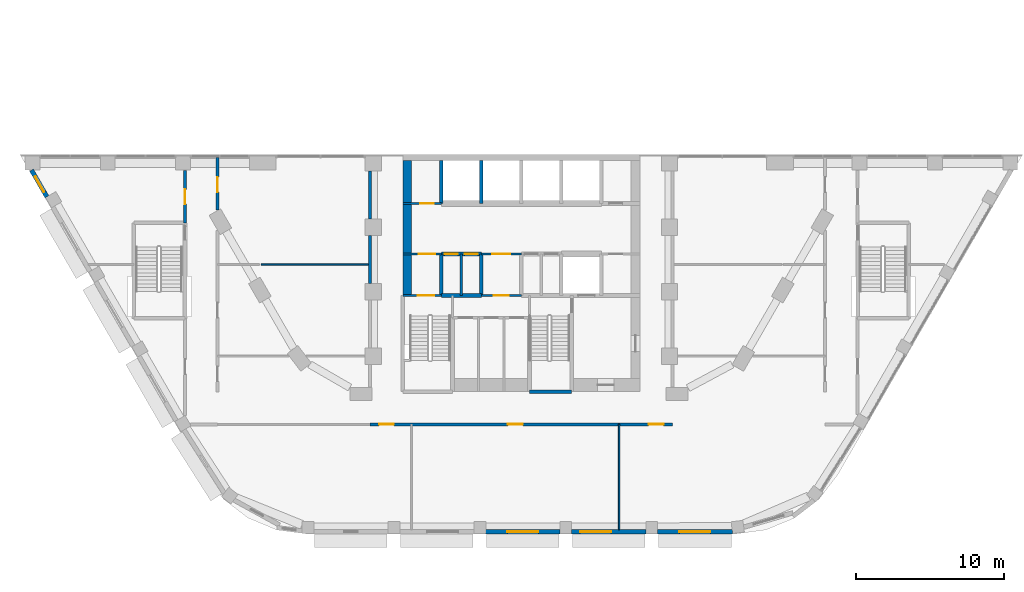
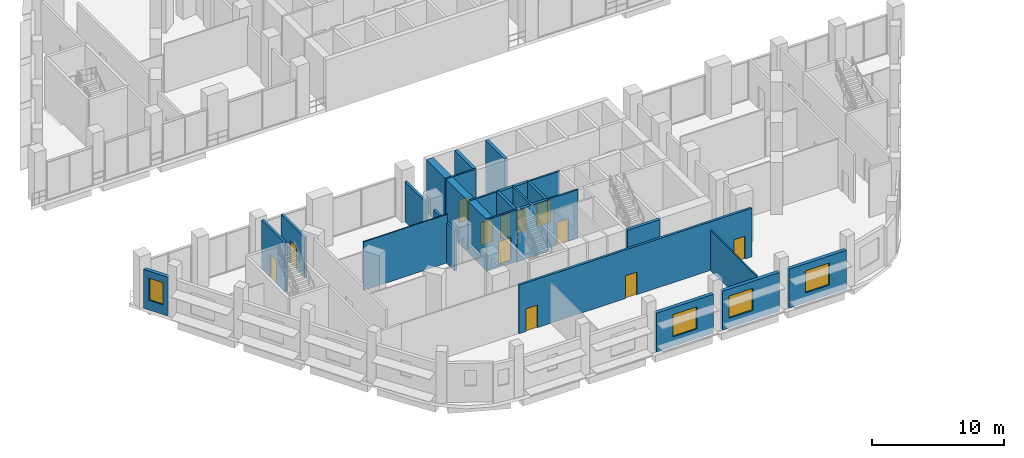
# One storey, part 16 of 45: 25 walls, 12 doors, 4 windows, 16 openings.
"""IFC4 building model written with IfcOpenShell, lengths in metres."""

from ifc_helpers import new_model, si_unit, direction, frame, frame_2d, origin, place, context, subcontext, project, spatial, rectangle, extrude, material, layer, layer_set, type_object, element, fill, save


model = new_model("IFC4")

# Units and contexts
model_context = context("Model", 3, precision=1e-05, world=origin(), true_north=direction((0.0, 1.0)))
body_context = subcontext(model_context, "Body", "Model", "MODEL_VIEW")
ifc_project = project(units=[si_unit("LENGTHUNIT", "METRE"), si_unit("AREAUNIT", "SQUARE_METRE"), si_unit("VOLUMEUNIT", "CUBIC_METRE"), si_unit("PLANEANGLEUNIT", "RADIAN"), si_unit("MASSUNIT", "GRAM", prefix="KILO")], contexts=[model_context])

# Site, building, storey
site_placement = place(None, origin())
site = spatial("IfcSite", under=ifc_project, at=site_placement, CompositionType="ELEMENT")
building_placement = place(site_placement, origin())
building = spatial("IfcBuilding", under=site, at=building_placement, Name="Nakaniwa Court", CompositionType="ELEMENT")
storey_placement = place(building_placement, frame((0.0, 0.0, 6.60009765625)))
storey = spatial("IfcBuildingStorey", under=building, at=storey_placement, Name="L01", CompositionType="ELEMENT", Elevation=6.60009765625)

# Wall, opening, door
ifc_material_1 = material(Name="Acoustic double stud partition")
ifc_layer_1 = layer(ifc_material_1, 0.199951171875)
ifc_layer_set_1 = layer_set([ifc_layer_1], Name="Acoustic double stud partition")
wall_type_1 = type_object("IfcWallType", Name="Acoustic double stud partition 200", PredefinedType="PARTITIONING", material=ifc_layer_set_1)
wall_1_placement = place(storey_placement, frame((57.300048828125, 67.9970703125, 0.0), z_axis=(0.0, 0.0, 1.0), x_axis=(0.0, 1.0, 0.0)))
wall_1 = element("IfcWall", 1, at=wall_1_placement, inside=storey, type_object=wall_type_1, Name="Partition PW-097", PredefinedType="PARTITIONING", context=body_context, shape_type="SweptSolid", body=[
    extrude(rectangle(XDim=3.535888671875, YDim=0.199951171875, at=frame_2d((1.76806640625, 0.0))), origin(), (0.0, 0.0, 1.0), 4.5),
])
opening_1_placement = place(wall_1_placement, frame((1.26806640625, 0.0, 0.0)))
opening_1 = element("IfcOpeningElement", 2, at=opening_1_placement, cuts=wall_1, Name="Opening D-02-11", PredefinedType="OPENING", context=body_context, shape_type="SweptSolid", body=[
    extrude(rectangle(XDim=1.0, YDim=2.10009765625, at=frame_2d((0.5, 1.050048828125))), frame((0.0, 0.10986328125, 0.0), z_axis=(0.0, -1.0, 0.0), x_axis=(1.0, 0.0, 0.0)), (0.0, 0.0, 1.0), 0.219970703125),
])
ifc_material_2 = material(Name="Solid core timber door set, black veneer", Category="wood")
door_type_1 = type_object("IfcDoorType", Name="Internal door 1000", OperationType="NOTDEFINED", PredefinedType="DOOR", material=ifc_material_2)
door_1_placement = place(opening_1_placement, origin())
door_1 = element("IfcDoor", 3, at=door_1_placement, inside=storey, type_object=door_type_1, Name="Door D-02-11 L01-046", OperationType="SINGLE_SWING_LEFT", OverallHeight=2.10009765625, OverallWidth=1.0, PredefinedType="DOOR", context=body_context, shape_type="SweptSolid", body=[
    extrude(rectangle(XDim=1.0, YDim=2.10009765625, at=frame_2d((0.5, 1.050048828125))), frame((0.0, 0.02490234375, 0.0), z_axis=(0.0, -1.0, 0.0), x_axis=(1.0, 0.0, 0.0)), (0.0, 0.0, 1.0), 0.050048828125),
])
fill(opening_1, door_1)

wall_2_placement = place(storey_placement, frame((59.5, 72.419921875, 0.0), z_axis=(0.0, 0.0, 1.0), x_axis=(0.0, -1.0, 0.0)))
wall_2 = element("IfcWall", 4, at=wall_2_placement, inside=storey, type_object=wall_type_1, Name="Partition PW-101", PredefinedType="PARTITIONING", context=body_context, shape_type="SweptSolid", body=[
    extrude(rectangle(XDim=3.569091796875, YDim=0.199951171875, at=frame_2d((1.78466796875, 0.0))), origin(), (0.0, 0.0, 1.0), 3.72998046875),
])
opening_2_placement = place(wall_2_placement, frame((1.343017578125, 0.0, 0.0)))
opening_2 = element("IfcOpeningElement", 5, at=opening_2_placement, cuts=wall_2, Name="Opening D-02-16", PredefinedType="OPENING", context=body_context, shape_type="SweptSolid", body=[
    extrude(rectangle(XDim=1.0, YDim=2.10009765625, at=frame_2d((0.5, 1.050048828125))), frame((0.0, 0.10986328125, 0.0), z_axis=(0.0, -1.0, 0.0), x_axis=(1.0, 0.0, 0.0)), (0.0, 0.0, 1.0), 0.219970703125),
])
door_2_placement = place(opening_2_placement, origin())
door_2 = element("IfcDoor", 6, at=door_2_placement, inside=storey, type_object=door_type_1, Name="Door D-02-16 L01-051", OperationType="SINGLE_SWING_RIGHT", OverallHeight=2.10009765625, OverallWidth=1.0, PredefinedType="DOOR", context=body_context, shape_type="SweptSolid", body=[
    extrude(rectangle(XDim=1.0, YDim=2.10009765625, at=frame_2d((0.5, 1.050048828125))), frame((0.0, 0.02490234375, 0.0), z_axis=(0.0, -1.0, 0.0), x_axis=(1.0, 0.0, 0.0)), (0.0, 0.0, 1.0), 0.050048828125),
])
fill(opening_2, door_2)

# Walls
wall_3_placement = place(storey_placement, frame((69.800048828125, 63.9169921875, 0.0), z_axis=(0.0, 0.0, 1.0), x_axis=(0.0, 1.0, 0.0)))
element("IfcWall", 7, at=wall_3_placement, inside=storey, type_object=wall_type_1, Name="Partition PW-114", PredefinedType="PARTITIONING", context=body_context, shape_type="SweptSolid", body=[
    extrude(rectangle(XDim=3.216064453125, YDim=0.199951171875, at=frame_2d((1.60791015625, 0.0))), origin(), (0.0, 0.0, 1.0), 3.72998046875),
])
wall_4_placement = place(storey_placement, frame((69.800048828125, 68.26708984375, 0.0), z_axis=(0.0, 0.0, 1.0), x_axis=(0.0, 1.0, 0.0)))
element("IfcWall", 8, at=wall_4_placement, inside=storey, type_object=wall_type_1, Name="Partition PW-115", PredefinedType="PARTITIONING", context=body_context, shape_type="SweptSolid", body=[
    extrude(rectangle(XDim=3.2158203125, YDim=0.199951171875, at=frame_2d((1.60791015625, 0.0))), origin(), (0.0, 0.0, 1.0), 3.72998046875),
])

# Wall, openings, doors
wall_5_placement = place(storey_placement, frame((90.199951171875, 54.39990234375, 0.0), z_axis=(0.0, 0.0, 1.0), x_axis=(-1.0, 0.0, 0.0)))
wall_5 = element("IfcWall", 9, at=wall_5_placement, inside=storey, type_object=wall_type_1, Name="Partition PW-135", PredefinedType="PARTITIONING", context=body_context, shape_type="SweptSolid", body=[
    extrude(rectangle(XDim=20.39990234375, YDim=0.199951171875, at=frame_2d((10.199951171875, 0.0))), origin(), (0.0, 0.0, 1.0), 4.5),
])
opening_3_placement = place(wall_5_placement, frame((18.800048828125, 0.0, 0.0)))
opening_3 = element("IfcOpeningElement", 10, at=opening_3_placement, cuts=wall_5, Name="Opening D-02-19", PredefinedType="OPENING", context=body_context, shape_type="SweptSolid", body=[
    extrude(rectangle(XDim=1.0, YDim=2.10009765625, at=frame_2d((0.5, 1.050048828125))), frame((0.0, 0.10986328125, 0.0), z_axis=(0.0, -1.0, 0.0), x_axis=(1.0, 0.0, 0.0)), (0.0, 0.0, 1.0), 0.219970703125),
])
opening_4_placement = place(wall_5_placement, frame((0.60009765625, 0.0, 0.0)))
opening_4 = element("IfcOpeningElement", 11, at=opening_4_placement, cuts=wall_5, Name="Opening D-02-20", PredefinedType="OPENING", context=body_context, shape_type="SweptSolid", body=[
    extrude(rectangle(XDim=1.0, YDim=2.10009765625, at=frame_2d((0.5, 1.050048828125))), frame((0.0, 0.10986328125, 0.0), z_axis=(0.0, -1.0, 0.0), x_axis=(1.0, 0.0, 0.0)), (0.0, 0.0, 1.0), 0.219970703125),
])
opening_5_placement = place(wall_5_placement, frame((10.10009765625, 0.0, 0.0)))
opening_5 = element("IfcOpeningElement", 12, at=opening_5_placement, cuts=wall_5, Name="Opening D-02-21", PredefinedType="OPENING", context=body_context, shape_type="SweptSolid", body=[
    extrude(rectangle(XDim=1.0, YDim=2.10009765625, at=frame_2d((0.5, 1.050048828125))), frame((0.0, 0.10986328125, 0.0), z_axis=(0.0, -1.0, 0.0), x_axis=(1.0, 0.0, 0.0)), (0.0, 0.0, 1.0), 0.219970703125),
])
door_3_placement = place(opening_3_placement, origin())
door_3 = element("IfcDoor", 13, at=door_3_placement, inside=storey, type_object=door_type_1, Name="Door D-02-19 L01-054", OperationType="SINGLE_SWING_LEFT", OverallHeight=2.10009765625, OverallWidth=1.0, PredefinedType="DOOR", context=body_context, shape_type="SweptSolid", body=[
    extrude(rectangle(XDim=1.0, YDim=2.10009765625, at=frame_2d((0.5, 1.050048828125))), frame((0.0, 0.02490234375, 0.0), z_axis=(0.0, -1.0, 0.0), x_axis=(1.0, 0.0, 0.0)), (0.0, 0.0, 1.0), 0.050048828125),
])
fill(opening_3, door_3)
door_4_placement = place(opening_4_placement, origin())
door_4 = element("IfcDoor", 14, at=door_4_placement, inside=storey, type_object=door_type_1, Name="Door D-02-20 L01-055", OperationType="SINGLE_SWING_RIGHT", OverallHeight=2.10009765625, OverallWidth=1.0, PredefinedType="DOOR", context=body_context, shape_type="SweptSolid", body=[
    extrude(rectangle(XDim=1.0, YDim=2.10009765625, at=frame_2d((0.5, 1.050048828125))), frame((0.0, 0.02490234375, 0.0), z_axis=(0.0, -1.0, 0.0), x_axis=(1.0, 0.0, 0.0)), (0.0, 0.0, 1.0), 0.050048828125),
])
fill(opening_4, door_4)
door_5_placement = place(opening_5_placement, origin())
door_5 = element("IfcDoor", 15, at=door_5_placement, inside=storey, type_object=door_type_1, Name="Door D-02-21 L01-056", OperationType="SINGLE_SWING_LEFT", OverallHeight=2.10009765625, OverallWidth=1.0, PredefinedType="DOOR", context=body_context, shape_type="SweptSolid", body=[
    extrude(rectangle(XDim=1.0, YDim=2.10009765625, at=frame_2d((0.5, 1.050048828125))), frame((0.0, 0.02490234375, 0.0), z_axis=(0.0, -1.0, 0.0), x_axis=(1.0, 0.0, 0.0)), (0.0, 0.0, 1.0), 0.050048828125),
])
fill(opening_5, door_5)

# Wall, opening, window
ifc_material_3 = material(Name="Charcoal ceramic cladding")
ifc_layer_2 = layer(ifc_material_3, 0.02, Name="Ceramic cladding")
ifc_material_4 = material(Name="Ventilated air cavity")
ifc_layer_3 = layer(ifc_material_4, 0.04, ventilated=True, Name="Ventilated cavity")
ifc_material_5 = material(Name="Mineral wool insulation")
ifc_layer_4 = layer(ifc_material_5, 0.1, Name="Insulation")
ifc_material_6 = material(Name="Cement bonded sheathing board")
ifc_layer_5 = layer(ifc_material_6, 0.012, Name="Sheathing")
ifc_material_7 = material(Name="Cold-formed galvanised stud frame with mineral wool infill")
ifc_layer_6 = layer(ifc_material_7, 0.1, Name="Stud frame")
ifc_material_8 = material(Name="Fire-rated gypsum plasterboard lining")
ifc_layer_7 = layer(ifc_material_8, 0.028, Name="Lining")
ifc_layer_set_2 = layer_set([ifc_layer_2, ifc_layer_3, ifc_layer_4, ifc_layer_5, ifc_layer_6, ifc_layer_7], Name="Charcoal ceramic faced external wall system")
wall_type_2 = type_object("IfcWallType", Name="Black ceramic faced external wall 300", PredefinedType="SOLIDWALL", material=ifc_layer_set_2)
wall_6_placement = place(storey_placement, frame((46.944580078125, 71.553466796875, 0.0), z_axis=(0.0, 0.0, 1.0), x_axis=(0.500020978615, -0.866013291437, 0.0)))
wall_6 = element("IfcWall", 16, at=wall_6_placement, inside=storey, type_object=wall_type_2, Name="L01 external wall 12", PredefinedType="SOLIDWALL", context=body_context, shape_type="SweptSolid", body=[
    extrude(rectangle(XDim=2.07666015625, YDim=0.300048828125, at=frame_2d((1.038330078125, 0.0))), origin(), (0.0, 0.0, 1.0), 3.599853515625),
])
opening_6_placement = place(wall_6_placement, frame((0.489013671875, 0.0, 0.89990234375)))
opening_6 = element("IfcOpeningElement", 17, at=opening_6_placement, cuts=wall_6, Name="Opening W1.01", PredefinedType="OPENING", context=body_context, shape_type="SweptSolid", body=[
    extrude(rectangle(XDim=1.199951171875, YDim=2.050048828125, at=frame_2d((0.60009765625, 1.02490234375))), frame((0.0, 0.159912109375, 0.0), z_axis=(0.0, -1.0, 0.0), x_axis=(1.0, 0.0, 0.0)), (0.0, 0.0, 1.0), 0.320068359375),
])
ifc_material_9 = material(Name="Black anodised aluminium frame with dark low-E laminated double glazing", Category="aluminium")
window_type_1 = type_object("IfcWindowType", Name="Dark glass window 1200x2050 sill 900", PartitioningType="SINGLE_PANEL", PredefinedType="WINDOW", material=ifc_material_9)
window_1_placement = place(opening_6_placement, origin())
window_1 = element("IfcWindow", 18, at=window_1_placement, inside=storey, type_object=window_type_1, Name="L01 habitable room window 12-0", OverallHeight=2.050048828125, OverallWidth=1.199951171875, PartitioningType="SINGLE_PANEL", PredefinedType="WINDOW", context=body_context, shape_type="SweptSolid", body=[
    extrude(rectangle(XDim=1.199951171875, YDim=2.050048828125, at=frame_2d((0.60009765625, 1.02490234375))), frame((0.0, 0.030029296875, 0.0), z_axis=(0.0, -1.0, 0.0), x_axis=(1.0, 0.0, 0.0)), (0.0, 0.0, 1.0), 0.06005859375),
])
fill(opening_6, window_1)

wall_7_placement = place(storey_placement, frame((77.59619140625, 47.14990234375, 0.0), z_axis=(0.0, 0.0, 1.0), x_axis=(1.0, 0.0, 0.0)))
wall_7 = element("IfcWall", 19, at=wall_7_placement, inside=storey, type_object=wall_type_2, Name="L01 external wall 21", PredefinedType="SOLIDWALL", context=body_context, shape_type="SweptSolid", body=[
    extrude(rectangle(XDim=5.01025390625, YDim=0.300048828125, at=frame_2d((2.505126953125, 0.0))), origin(), (0.0, 0.0, 1.0), 3.599853515625),
])
opening_7_placement = place(wall_7_placement, frame((1.455078125, 0.0, 0.89990234375)))
opening_7 = element("IfcOpeningElement", 20, at=opening_7_placement, cuts=wall_7, Name="Opening W2.10", PredefinedType="OPENING", context=body_context, shape_type="SweptSolid", body=[
    extrude(rectangle(XDim=2.10009765625, YDim=2.050048828125, at=frame_2d((1.050048828125, 1.02490234375))), frame((0.0, 0.159912109375, 0.0), z_axis=(0.0, -1.0, 0.0), x_axis=(1.0, 0.0, 0.0)), (0.0, 0.0, 1.0), 0.320068359375),
])
window_type_2 = type_object("IfcWindowType", Name="Dark glass window 2100x2050 sill 900", PartitioningType="SINGLE_PANEL", PredefinedType="WINDOW", material=ifc_material_9)
window_2_placement = place(opening_7_placement, origin())
window_2 = element("IfcWindow", 21, at=window_2_placement, inside=storey, type_object=window_type_2, Name="L01 habitable room window 21-0", OverallHeight=2.050048828125, OverallWidth=2.10009765625, PartitioningType="SINGLE_PANEL", PredefinedType="WINDOW", context=body_context, shape_type="SweptSolid", body=[
    extrude(rectangle(XDim=2.10009765625, YDim=2.050048828125, at=frame_2d((1.050048828125, 1.02490234375))), frame((0.0, 0.030029296875, 0.0), z_axis=(0.0, -1.0, 0.0), x_axis=(1.0, 0.0, 0.0)), (0.0, 0.0, 1.0), 0.06005859375),
])
fill(opening_7, window_2)

wall_8_placement = place(storey_placement, frame((83.3984375, 47.14990234375, 0.0), z_axis=(0.0, 0.0, 1.0), x_axis=(1.0, 0.0, 0.0)))
wall_8 = element("IfcWall", 22, at=wall_8_placement, inside=storey, type_object=wall_type_2, Name="L01 external wall 22", PredefinedType="SOLIDWALL", context=body_context, shape_type="SweptSolid", body=[
    extrude(rectangle(XDim=5.01025390625, YDim=0.300048828125, at=frame_2d((2.505126953125, 0.0))), origin(), (0.0, 0.0, 1.0), 3.599853515625),
])
opening_8_placement = place(wall_8_placement, frame((0.562744140625, 0.0, 0.89990234375)))
opening_8 = element("IfcOpeningElement", 23, at=opening_8_placement, cuts=wall_8, Name="Opening W2.11", PredefinedType="OPENING", context=body_context, shape_type="SweptSolid", body=[
    extrude(rectangle(XDim=2.10009765625, YDim=2.050048828125, at=frame_2d((1.050048828125, 1.02490234375))), frame((0.0, 0.159912109375, 0.0), z_axis=(0.0, -1.0, 0.0), x_axis=(1.0, 0.0, 0.0)), (0.0, 0.0, 1.0), 0.320068359375),
])
window_3_placement = place(opening_8_placement, origin())
window_3 = element("IfcWindow", 24, at=window_3_placement, inside=storey, type_object=window_type_2, Name="L01 habitable room window 22-0", OverallHeight=2.050048828125, OverallWidth=2.10009765625, PartitioningType="SINGLE_PANEL", PredefinedType="WINDOW", context=body_context, shape_type="SweptSolid", body=[
    extrude(rectangle(XDim=2.10009765625, YDim=2.050048828125, at=frame_2d((1.050048828125, 1.02490234375))), frame((0.0, 0.030029296875, 0.0), z_axis=(0.0, -1.0, 0.0), x_axis=(1.0, 0.0, 0.0)), (0.0, 0.0, 1.0), 0.06005859375),
])
fill(opening_8, window_3)

wall_9_placement = place(storey_placement, frame((89.20068359375, 47.14990234375, 0.0), z_axis=(0.0, 0.0, 1.0), x_axis=(1.0, 0.0, 0.0)))
wall_9 = element("IfcWall", 25, at=wall_9_placement, inside=storey, type_object=wall_type_2, Name="L01 external wall 23", PredefinedType="SOLIDWALL", context=body_context, shape_type="SweptSolid", body=[
    extrude(rectangle(XDim=5.048095703125, YDim=0.300048828125, at=frame_2d((2.52392578125, 0.0))), origin(), (0.0, 0.0, 1.0), 3.599853515625),
])
opening_9_placement = place(wall_9_placement, frame((1.462646484375, 0.0, 0.89990234375)))
opening_9 = element("IfcOpeningElement", 26, at=opening_9_placement, cuts=wall_9, Name="Opening W2.12", PredefinedType="OPENING", context=body_context, shape_type="SweptSolid", body=[
    extrude(rectangle(XDim=2.10009765625, YDim=2.050048828125, at=frame_2d((1.050048828125, 1.02490234375))), frame((0.0, 0.159912109375, 0.0), z_axis=(0.0, -1.0, 0.0), x_axis=(1.0, 0.0, 0.0)), (0.0, 0.0, 1.0), 0.320068359375),
])
window_4_placement = place(opening_9_placement, origin())
window_4 = element("IfcWindow", 27, at=window_4_placement, inside=storey, type_object=window_type_2, Name="L01 habitable room window 23-0", OverallHeight=2.050048828125, OverallWidth=2.10009765625, PartitioningType="SINGLE_PANEL", PredefinedType="WINDOW", context=body_context, shape_type="SweptSolid", body=[
    extrude(rectangle(XDim=2.10009765625, YDim=2.050048828125, at=frame_2d((1.050048828125, 1.02490234375))), frame((0.0, 0.030029296875, 0.0), z_axis=(0.0, -1.0, 0.0), x_axis=(1.0, 0.0, 0.0)), (0.0, 0.0, 1.0), 0.06005859375),
])
fill(opening_9, window_4)

# Wall, opening, door
ifc_material_10 = material(Name="Blockwork partition", Category="masonry")
ifc_layer_8 = layer(ifc_material_10, 0.14990234375)
ifc_layer_set_3 = layer_set([ifc_layer_8], Name="Blockwork partition")
wall_type_3 = type_object("IfcWallType", Name="Blockwork partition 150", PredefinedType="PARTITIONING", material=ifc_layer_set_3)
wall_10_placement = place(storey_placement, frame((72.0, 69.300048828125, 0.0), z_axis=(0.0, 0.0, 1.0), x_axis=(1.0, 0.0, 0.0)))
wall_10 = element("IfcWall", 28, at=wall_10_placement, inside=storey, type_object=wall_type_3, Name="Partition PW-043", PredefinedType="PARTITIONING", context=body_context, shape_type="SweptSolid", body=[
    extrude(rectangle(XDim=2.60009765625, YDim=0.14990234375, at=frame_2d((1.300048828125, 0.0))), origin(), (0.0, 0.0, 1.0), 4.5),
])
opening_10_placement = place(wall_10_placement, frame((1.175048828125, 0.0, 0.0)))
opening_10 = element("IfcOpeningElement", 29, at=opening_10_placement, cuts=wall_10, Name="Opening D-05-11", PredefinedType="OPENING", context=body_context, shape_type="SweptSolid", body=[
    extrude(rectangle(XDim=0.89990234375, YDim=2.10009765625, at=frame_2d((0.449951171875, 1.050048828125))), frame((0.0, 0.0849609375, 0.0), z_axis=(0.0, -1.0, 0.0), x_axis=(1.0, 0.0, 0.0)), (0.0, 0.0, 1.0), 0.169921875),
])
ifc_material_11 = material(Name="Fire rated steel door set", Category="steel")
door_type_2 = type_object("IfcDoorType", Name="Service room door 900", OperationType="NOTDEFINED", PredefinedType="DOOR", material=ifc_material_11)
door_6_placement = place(opening_10_placement, origin())
door_6 = element("IfcDoor", 30, at=door_6_placement, inside=storey, type_object=door_type_2, Name="Door D-05-11 L01-016", OperationType="SINGLE_SWING_LEFT", OverallHeight=2.10009765625, OverallWidth=0.89990234375, PredefinedType="DOOR", context=body_context, shape_type="SweptSolid", body=[
    extrude(rectangle(XDim=0.89990234375, YDim=2.10009765625, at=frame_2d((0.449951171875, 1.050048828125))), frame((0.0, 0.02490234375, 0.0), z_axis=(0.0, -1.0, 0.0), x_axis=(1.0, 0.0, 0.0)), (0.0, 0.0, 1.0), 0.050048828125),
])
fill(opening_10, door_6)

wall_11_placement = place(storey_placement, frame((74.60302734375, 65.89990234375, 0.0), z_axis=(0.0, 0.0, 1.0), x_axis=(-1.0, 0.0, 0.0)))
wall_11 = element("IfcWall", 31, at=wall_11_placement, inside=storey, type_object=wall_type_3, Name="Partition PW-056", PredefinedType="PARTITIONING", context=body_context, shape_type="SweptSolid", body=[
    extrude(rectangle(XDim=2.60302734375, YDim=0.14990234375, at=frame_2d((1.301513671875, 0.0))), origin(), (0.0, 0.0, 1.0), 4.5),
])
opening_11_placement = place(wall_11_placement, frame((0.427978515625, 0.0, 0.0)))
opening_11 = element("IfcOpeningElement", 32, at=opening_11_placement, cuts=wall_11, Name="Opening D-08-02", PredefinedType="OPENING", context=body_context, shape_type="SweptSolid", body=[
    extrude(rectangle(XDim=1.10009765625, YDim=2.10009765625, at=frame_2d((0.550048828125, 1.050048828125))), frame((0.0, 0.0849609375, 0.0), z_axis=(0.0, -1.0, 0.0), x_axis=(1.0, 0.0, 0.0)), (0.0, 0.0, 1.0), 0.169921875),
])
door_type_3 = type_object("IfcDoorType", Name="Stair lobby door 1100", OperationType="NOTDEFINED", PredefinedType="DOOR", material=ifc_material_11)
door_7_placement = place(opening_11_placement, origin())
door_7 = element("IfcDoor", 33, at=door_7_placement, inside=storey, type_object=door_type_3, Name="Door D-08-02 L01-018", OperationType="SINGLE_SWING_LEFT", OverallHeight=2.10009765625, OverallWidth=1.10009765625, PredefinedType="DOOR", context=body_context, shape_type="SweptSolid", body=[
    extrude(rectangle(XDim=1.10009765625, YDim=2.10009765625, at=frame_2d((0.550048828125, 1.050048828125))), frame((0.0, 0.02490234375, 0.0), z_axis=(0.0, -1.0, 0.0), x_axis=(1.0, 0.0, 0.0)), (0.0, 0.0, 1.0), 0.050048828125),
])
fill(opening_11, door_7)

wall_12_placement = place(storey_placement, frame((80.0029296875, 65.89990234375, 0.0), z_axis=(0.0, 0.0, 1.0), x_axis=(-1.0, 0.0, 0.0)))
wall_12 = element("IfcWall", 34, at=wall_12_placement, inside=storey, type_object=wall_type_3, Name="Partition PW-057", PredefinedType="PARTITIONING", context=body_context, shape_type="SweptSolid", body=[
    extrude(rectangle(XDim=2.705810546875, YDim=0.14990234375, at=frame_2d((1.35302734375, 0.0))), origin(), (0.0, 0.0, 1.0), 4.5),
])
opening_12_placement = place(wall_12_placement, frame((0.7529296875, 0.0, 0.0)))
opening_12 = element("IfcOpeningElement", 35, at=opening_12_placement, cuts=wall_12, Name="Opening D-06-02", PredefinedType="OPENING", context=body_context, shape_type="SweptSolid", body=[
    extrude(rectangle(XDim=1.199951171875, YDim=2.10009765625, at=frame_2d((0.60009765625, 1.050048828125))), frame((0.0, 0.0849609375, 0.0), z_axis=(0.0, -1.0, 0.0), x_axis=(1.0, 0.0, 0.0)), (0.0, 0.0, 1.0), 0.169921875),
])
ifc_material_12 = material(Name="Fire rated steel double door set", Category="steel")
door_type_4 = type_object("IfcDoorType", Name="Service passage double door 1200", OperationType="NOTDEFINED", PredefinedType="DOOR", material=ifc_material_12)
door_8_placement = place(opening_12_placement, origin())
door_8 = element("IfcDoor", 36, at=door_8_placement, inside=storey, type_object=door_type_4, Name="Door D-06-02 L01-021", OperationType="DOUBLE_DOOR_SINGLE_SWING", OverallHeight=2.10009765625, OverallWidth=1.199951171875, PredefinedType="DOOR", context=body_context, shape_type="SweptSolid", body=[
    extrude(rectangle(XDim=1.199951171875, YDim=2.10009765625, at=frame_2d((0.60009765625, 1.050048828125))), frame((0.0, 0.02490234375, 0.0), z_axis=(0.0, -1.0, 0.0), x_axis=(1.0, 0.0, 0.0)), (0.0, 0.0, 1.0), 0.050048828125),
])
fill(opening_12, door_8)

# Wall
wall_13_placement = place(storey_placement, frame((75.949951171875, 63.10009765625, 0.0), z_axis=(0.0, 0.0, 1.0), x_axis=(0.0, 1.0, 0.0)))
element("IfcWall", 37, at=wall_13_placement, inside=storey, type_object=wall_type_3, Name="Partition PW-063", PredefinedType="PARTITIONING", context=body_context, shape_type="SweptSolid", body=[
    extrude(rectangle(XDim=2.7998046875, YDim=0.14990234375, at=frame_2d((1.39990234375, 0.0))), origin(), (0.0, 0.0, 1.0), 4.5),
])

# Wall, opening, door
wall_14_placement = place(storey_placement, frame((80.0, 63.10009765625, 0.0), z_axis=(0.0, 0.0, 1.0), x_axis=(-1.0, 0.0, 0.0)))
wall_14 = element("IfcWall", 38, at=wall_14_placement, inside=storey, type_object=wall_type_3, Name="Partition PW-066", PredefinedType="PARTITIONING", context=body_context, shape_type="SweptSolid", body=[
    extrude(rectangle(XDim=2.699951171875, YDim=0.14990234375, at=frame_2d((1.35009765625, 0.0))), origin(), (0.0, 0.0, 1.0), 4.5),
])
opening_13_placement = place(wall_14_placement, frame((0.85009765625, 0.0, 0.0)))
opening_13 = element("IfcOpeningElement", 39, at=opening_13_placement, cuts=wall_14, Name="Opening D-23-02", PredefinedType="OPENING", context=body_context, shape_type="SweptSolid", body=[
    extrude(rectangle(XDim=1.0, YDim=2.10009765625, at=frame_2d((0.5, 1.050048828125))), frame((0.0, 0.0849609375, 0.0), z_axis=(0.0, -1.0, 0.0), x_axis=(1.0, 0.0, 0.0)), (0.0, 0.0, 1.0), 0.169921875),
])
door_type_5 = type_object("IfcDoorType", Name="Service room door 1000", OperationType="NOTDEFINED", PredefinedType="DOOR", material=ifc_material_11)
door_9_placement = place(opening_13_placement, origin())
door_9 = element("IfcDoor", 40, at=door_9_placement, inside=storey, type_object=door_type_5, Name="Door D-23-02 L01-025", OperationType="SINGLE_SWING_RIGHT", OverallHeight=2.10009765625, OverallWidth=1.0, PredefinedType="DOOR", context=body_context, shape_type="SweptSolid", body=[
    extrude(rectangle(XDim=1.0, YDim=2.10009765625, at=frame_2d((0.5, 1.050048828125))), frame((0.0, 0.02490234375, 0.0), z_axis=(0.0, -1.0, 0.0), x_axis=(1.0, 0.0, 0.0)), (0.0, 0.0, 1.0), 0.050048828125),
])
fill(opening_13, door_9)

# Wall
ifc_material_13 = material(Name="Concrete C100/115", Category="concrete")
ifc_layer_9 = layer(ifc_material_13, 0.60009765625)
ifc_layer_set_4 = layer_set([ifc_layer_9], Name="Concrete C100/115")
wall_type_4 = type_object("IfcWallType", Name="Concrete core side wall 600 C100", PredefinedType="SHEAR", material=ifc_layer_set_4)
wall_15_placement = place(storey_placement, frame((72.300048828125, 63.10009765625, -0.300048828125), z_axis=(0.0, 0.0, 1.0), x_axis=(0.0, 1.0, 0.0)))
element("IfcWall", 41, at=wall_15_placement, inside=storey, type_object=wall_type_4, Name="Core wall SW-44", PredefinedType="SHEAR", context=body_context, shape_type="SweptSolid", body=[
    extrude(rectangle(XDim=9.099853515625, YDim=0.60009765625, at=frame_2d((4.5498046875, 0.0))), origin(), (0.0, 0.0, 1.0), 4.800048828125),
])

# Wall, opening, door
ifc_layer_10 = layer(ifc_material_13, 0.14990234375)
ifc_layer_set_5 = layer_set([ifc_layer_10], Name="Concrete C100/115")
wall_type_5 = type_object("IfcWallType", Name="Concrete core wall 150 C100", PredefinedType="SHEAR", material=ifc_layer_set_5)
wall_16_placement = place(storey_placement, frame((72.0, 63.10009765625, -0.300048828125), z_axis=(0.0, 0.0, 1.0), x_axis=(1.0, 0.0, 0.0)))
wall_16 = element("IfcWall", 42, at=wall_16_placement, inside=storey, type_object=wall_type_5, Name="Core wall SW-62", PredefinedType="SHEAR", context=body_context, shape_type="SweptSolid", body=[
    extrude(rectangle(XDim=2.60009765625, YDim=0.14990234375, at=frame_2d((1.300048828125, 0.0))), origin(), (0.0, 0.0, 1.0), 4.800048828125),
])
opening_14_placement = place(wall_16_placement, frame((1.02001953125, 0.0, 0.300048828125)))
opening_14 = element("IfcOpeningElement", 43, at=opening_14_placement, cuts=wall_16, Name="Opening D-09-02", PredefinedType="OPENING", context=body_context, shape_type="SweptSolid", body=[
    extrude(rectangle(XDim=1.10009765625, YDim=2.10009765625, at=frame_2d((0.550048828125, 1.050048828125))), frame((0.0, 0.0849609375, 0.0), z_axis=(0.0, -1.0, 0.0), x_axis=(1.0, 0.0, 0.0)), (0.0, 0.0, 1.0), 0.169921875),
])
door_type_6 = type_object("IfcDoorType", Name="Stair door 1100", OperationType="NOTDEFINED", PredefinedType="DOOR", material=ifc_material_11)
door_10_placement = place(opening_14_placement, origin())
door_10 = element("IfcDoor", 44, at=door_10_placement, inside=storey, type_object=door_type_6, Name="Door D-09-02 L01-029", OperationType="SINGLE_SWING_LEFT", OverallHeight=2.10009765625, OverallWidth=1.10009765625, PredefinedType="DOOR", context=body_context, shape_type="SweptSolid", body=[
    extrude(rectangle(XDim=1.10009765625, YDim=2.10009765625, at=frame_2d((0.550048828125, 1.050048828125))), frame((0.0, 0.02490234375, 0.0), z_axis=(0.0, -1.0, 0.0), x_axis=(1.0, 0.0, 0.0)), (0.0, 0.0, 1.0), 0.050048828125),
])
fill(opening_14, door_10)

# Walls
ifc_layer_11 = layer(ifc_material_13, 0.25)
ifc_layer_set_6 = layer_set([ifc_layer_11], Name="Concrete C100/115")
wall_type_6 = type_object("IfcWallType", Name="Concrete core wall 250 C100", PredefinedType="SHEAR", material=ifc_layer_set_6)
wall_17_placement = place(storey_placement, frame((80.550048828125, 56.60009765625, -0.300048828125), z_axis=(0.0, 0.0, 1.0), x_axis=(1.0, 0.0, 0.0)))
element("IfcWall", 45, at=wall_17_placement, inside=storey, type_object=wall_type_6, Name="Core wall SW-72", PredefinedType="SHEAR", context=body_context, shape_type="SweptSolid", body=[
    extrude(rectangle(XDim=2.849853515625, YDim=0.25, at=frame_2d((1.4248046875, 0.0))), origin(), (0.0, 0.0, 1.0), 4.800048828125),
])
ifc_layer_12 = layer(ifc_material_13, 0.25)
ifc_layer_set_7 = layer_set([ifc_layer_12], Name="Concrete C100/115")
wall_type_7 = type_object("IfcWallType", Name="Concrete shaft wall 250 C100", PredefinedType="SHEAR", material=ifc_layer_set_7)
wall_18_placement = place(storey_placement, frame((74.60009765625, 63.10009765625, -0.300048828125), z_axis=(0.0, 0.0, 1.0), x_axis=(0.0, 1.0, 0.0)))
element("IfcWall", 46, at=wall_18_placement, inside=storey, type_object=wall_type_7, Name="Core wall SW-41", PredefinedType="SHEAR", context=body_context, shape_type="SweptSolid", body=[
    extrude(rectangle(XDim=2.7998046875, YDim=0.25, at=frame_2d((1.39990234375, 0.0))), origin(), (0.0, 0.0, 1.0), 4.800048828125),
])
wall_19_placement = place(storey_placement, frame((74.60009765625, 69.300048828125, -0.300048828125), z_axis=(0.0, 0.0, 1.0), x_axis=(0.0, 1.0, 0.0)))
element("IfcWall", 47, at=wall_19_placement, inside=storey, type_object=wall_type_7, Name="Core wall SW-42", PredefinedType="SHEAR", context=body_context, shape_type="SweptSolid", body=[
    extrude(rectangle(XDim=2.89990234375, YDim=0.25, at=frame_2d((1.449951171875, 0.0))), origin(), (0.0, 0.0, 1.0), 4.800048828125),
])
wall_20_placement = place(storey_placement, frame((77.300048828125, 63.10009765625, -0.300048828125), z_axis=(0.0, 0.0, 1.0), x_axis=(0.0, 1.0, 0.0)))
element("IfcWall", 48, at=wall_20_placement, inside=storey, type_object=wall_type_7, Name="Core wall SW-45", PredefinedType="SHEAR", context=body_context, shape_type="SweptSolid", body=[
    extrude(rectangle(XDim=2.7998046875, YDim=0.25, at=frame_2d((1.39990234375, 0.0))), origin(), (0.0, 0.0, 1.0), 4.800048828125),
])
wall_21_placement = place(storey_placement, frame((77.300048828125, 69.300048828125, -0.300048828125), z_axis=(0.0, 0.0, 1.0), x_axis=(0.0, 1.0, 0.0)))
element("IfcWall", 49, at=wall_21_placement, inside=storey, type_object=wall_type_7, Name="Core wall SW-46", PredefinedType="SHEAR", context=body_context, shape_type="SweptSolid", body=[
    extrude(rectangle(XDim=2.89990234375, YDim=0.25, at=frame_2d((1.449951171875, 0.0))), origin(), (0.0, 0.0, 1.0), 4.800048828125),
])

# Wall, openings, doors
wall_22_placement = place(storey_placement, frame((77.302978515625, 65.89990234375, -0.300048828125), z_axis=(0.0, 0.0, 1.0), x_axis=(-1.0, 0.0, 0.0)))
wall_22 = element("IfcWall", 50, at=wall_22_placement, inside=storey, type_object=wall_type_7, Name="Core wall SW-59", PredefinedType="SHEAR", context=body_context, shape_type="SweptSolid", body=[
    extrude(rectangle(XDim=2.7060546875, YDim=0.25, at=frame_2d((1.35302734375, 0.0))), origin(), (0.0, 0.0, 1.0), 4.800048828125),
])
opening_15_placement = place(wall_22_placement, frame((1.577880859375, 0.0, 0.300048828125)))
opening_15 = element("IfcOpeningElement", 51, at=opening_15_placement, cuts=wall_22, Name="Opening D-05-13", PredefinedType="OPENING", context=body_context, shape_type="SweptSolid", body=[
    extrude(rectangle(XDim=0.89990234375, YDim=2.10009765625, at=frame_2d((0.449951171875, 1.050048828125))), frame((0.0, 0.135009765625, 0.0), z_axis=(0.0, -1.0, 0.0), x_axis=(1.0, 0.0, 0.0)), (0.0, 0.0, 1.0), 0.27001953125),
])
opening_16_placement = place(wall_22_placement, frame((0.22802734375, 0.0, 0.300048828125)))
opening_16 = element("IfcOpeningElement", 52, at=opening_16_placement, cuts=wall_22, Name="Opening D-05-14", PredefinedType="OPENING", context=body_context, shape_type="SweptSolid", body=[
    extrude(rectangle(XDim=0.89990234375, YDim=2.10009765625, at=frame_2d((0.449951171875, 1.050048828125))), frame((0.0, 0.135009765625, 0.0), z_axis=(0.0, -1.0, 0.0), x_axis=(1.0, 0.0, 0.0)), (0.0, 0.0, 1.0), 0.27001953125),
])
door_11_placement = place(opening_15_placement, origin())
door_11 = element("IfcDoor", 53, at=door_11_placement, inside=storey, type_object=door_type_2, Name="Door D-05-13 L01-019", OperationType="SINGLE_SWING_RIGHT", OverallHeight=2.10009765625, OverallWidth=0.89990234375, PredefinedType="DOOR", context=body_context, shape_type="SweptSolid", body=[
    extrude(rectangle(XDim=0.89990234375, YDim=2.10009765625, at=frame_2d((0.449951171875, 1.050048828125))), frame((0.0, 0.02490234375, 0.0), z_axis=(0.0, -1.0, 0.0), x_axis=(1.0, 0.0, 0.0)), (0.0, 0.0, 1.0), 0.050048828125),
])
fill(opening_15, door_11)
door_12_placement = place(opening_16_placement, origin())
door_12 = element("IfcDoor", 54, at=door_12_placement, inside=storey, type_object=door_type_2, Name="Door D-05-14 L01-020", OperationType="SINGLE_SWING_LEFT", OverallHeight=2.10009765625, OverallWidth=0.89990234375, PredefinedType="DOOR", context=body_context, shape_type="SweptSolid", body=[
    extrude(rectangle(XDim=0.89990234375, YDim=2.10009765625, at=frame_2d((0.449951171875, 1.050048828125))), frame((0.0, 0.02490234375, 0.0), z_axis=(0.0, -1.0, 0.0), x_axis=(1.0, 0.0, 0.0)), (0.0, 0.0, 1.0), 0.050048828125),
])
fill(opening_16, door_12)

# Walls
wall_23_placement = place(storey_placement, frame((74.60009765625, 63.10009765625, -0.300048828125), z_axis=(0.0, 0.0, 1.0), x_axis=(1.0, 0.0, 0.0)))
element("IfcWall", 55, at=wall_23_placement, inside=storey, type_object=wall_type_7, Name="Core wall SW-64", PredefinedType="SHEAR", context=body_context, shape_type="SweptSolid", body=[
    extrude(rectangle(XDim=2.699951171875, YDim=0.25, at=frame_2d((1.35009765625, 0.0))), origin(), (0.0, 0.0, 1.0), 4.800048828125),
])
ifc_material_14 = material(Name="Single stud plasterboard partition")
ifc_layer_13 = layer(ifc_material_14, 0.10009765625)
ifc_layer_set_8 = layer_set([ifc_layer_13], Name="Single stud plasterboard partition")
wall_type_8 = type_object("IfcWallType", Name="Single stud plasterboard partition 100", PredefinedType="PARTITIONING", material=ifc_layer_set_8)
wall_24_placement = place(storey_placement, frame((62.43359375, 65.199951171875, 0.0), z_axis=(0.0, 0.0, 1.0), x_axis=(1.0, 0.0, 0.0)))
element("IfcWall", 56, at=wall_24_placement, inside=storey, type_object=wall_type_8, Name="Partition PW-143", PredefinedType="PARTITIONING", context=body_context, shape_type="SweptSolid", body=[
    extrude(rectangle(XDim=7.366455078125, YDim=0.10009765625, at=frame_2d((3.68310546875, 0.0))), origin(), (0.0, 0.0, 1.0), 4.5),
])
wall_25_placement = place(storey_placement, frame((86.60009765625, 47.300048828125, 0.0), z_axis=(0.0, 0.0, 1.0), x_axis=(0.0, 1.0, 0.0)))
element("IfcWall", 57, at=wall_25_placement, inside=storey, type_object=wall_type_8, Name="Partition PW-152", PredefinedType="PARTITIONING", context=body_context, shape_type="SweptSolid", body=[
    extrude(rectangle(XDim=7.099853515625, YDim=0.10009765625, at=frame_2d((3.5498046875, 0.0))), origin(), (0.0, 0.0, 1.0), 3.72998046875),
])

save(model, "model.ifc")
